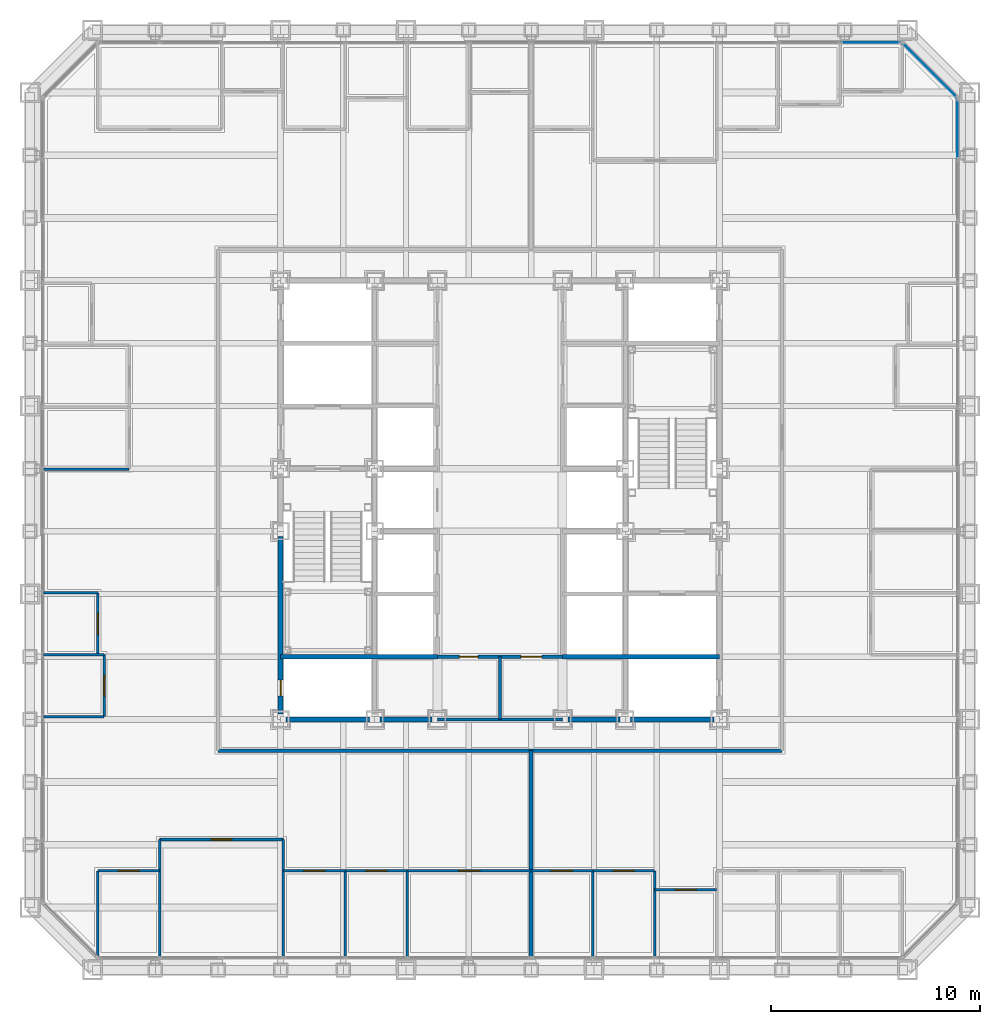
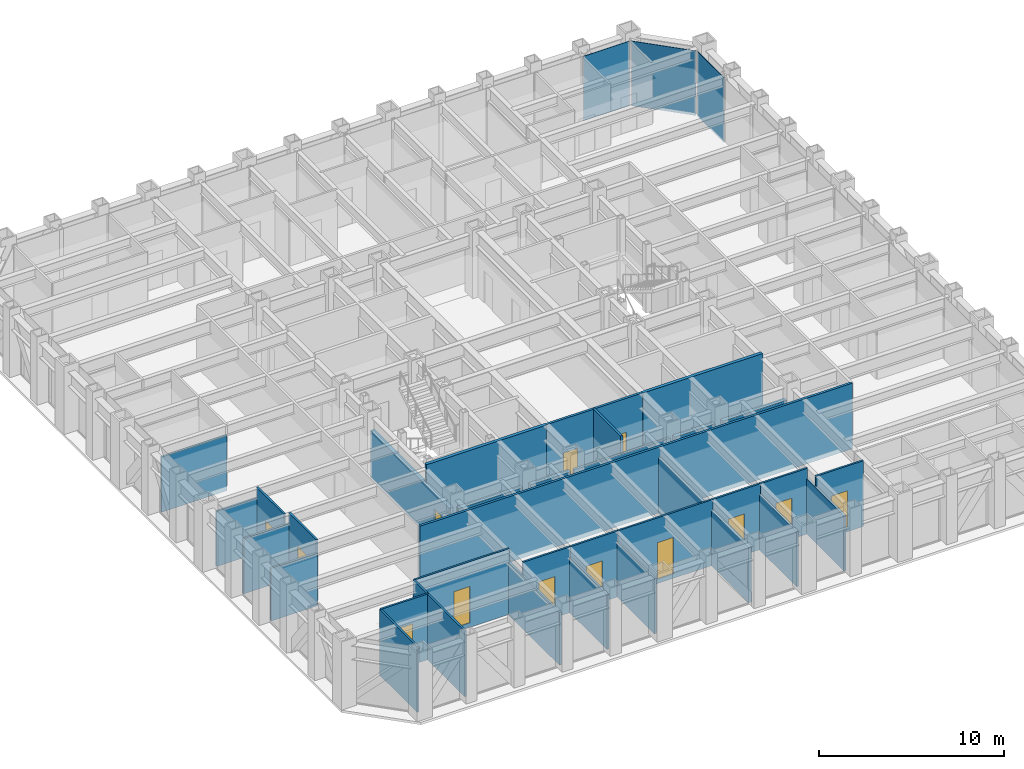
# One storey, part 8 of 16: 33 walls, 13 doors, 3 plates, 13 openings, 3 elements without a shape of their own.
"""IFC4 building model written with IfcOpenShell, lengths in metres."""

import ifcopenshell
import ifcopenshell.guid

model = None  # the IFC model being written
_history = None  # IfcOwnerHistory: only IFC2X3 demands one
_inside = {}  # id of a spatial element -> (the spatial element, [elements in it])
_under = {}  # id of a project, library or spatial element -> (it, [spatial elements below it])
_declared = {}  # id of a project -> (the project, [libraries it declares])
_typed = {}  # id of a type object -> (the type object, [elements of that type])
_made_of = {}  # id of a material, layer set ... -> (it, [elements and type objects made of it])


def new_model(schema):
    """Start an empty IFC model of exactly this schema.

    Asked for "IFC4X3", IfcOpenShell would pick the latest addendum, in which some entities
    have other attributes; the version numbers below select the first issue.
    IFC2X3 requires an IfcOwnerHistory on every rooted entity: one is made here for all.
    """
    global model, _history
    if schema == "IFC4X3":
        model = ifcopenshell.file(schema_version=(4, 3, 0, 0))
    else:
        model = ifcopenshell.file(schema=schema)
    _inside.clear()
    _under.clear()
    _declared.clear()
    _typed.clear()
    _made_of.clear()
    _history = None
    if model.schema == "IFC2X3":
        org = make("IfcOrganization", Name="unknown")
        user = make(
            "IfcPersonAndOrganization",
            ThePerson=make("IfcPerson", FamilyName="unknown"),
            TheOrganization=org,
        )
        app = make(
            "IfcApplication",
            ApplicationDeveloper=org,
            Version="unknown",
            ApplicationFullName="unknown",
            ApplicationIdentifier="unknown",
        )
        _history = make(
            "IfcOwnerHistory",
            OwningUser=user,
            OwningApplication=app,
            ChangeAction="ADDED",
            CreationDate=0,
        )
    return model


def make(cls, **values):
    """One entity of the class cls with the attributes given. An attribute that is None is left unset."""
    return model.create_entity(
        cls, **{name: value for name, value in values.items() if value is not None}
    )


def rooted(cls, **values):
    """An entity with a GlobalId (a new one), such as an element, a storey or a relation."""
    return make(cls, GlobalId=ifcopenshell.guid.new(), OwnerHistory=_history, **values)


def si_unit(unit_type, name, prefix=None):
    """IfcSIUnit, for example si_unit("LENGTHUNIT", "METRE", prefix="MILLI")."""
    return make("IfcSIUnit", UnitType=unit_type, Prefix=prefix, Name=name)


def assignment(units):
    """IfcUnitAssignment: the units of a project."""
    return None if units is None else make("IfcUnitAssignment", Units=units)


def point(xyz):
    """IfcCartesianPoint."""
    return None if xyz is None else make("IfcCartesianPoint", Coordinates=xyz)


def direction(xyz):
    """IfcDirection."""
    return None if xyz is None else make("IfcDirection", DirectionRatios=xyz)


def frame(location, z_axis=None, x_axis=None):
    """IfcAxis2Placement3D, a coordinate frame: its origin and axes. An axis left out is left unset."""
    return make(
        "IfcAxis2Placement3D",
        Location=point(location),
        Axis=direction(z_axis),
        RefDirection=direction(x_axis),
    )


def frame_2d(location, x_axis=None):
    """IfcAxis2Placement2D, a coordinate frame in the plane: its origin and x axis."""
    return make(
        "IfcAxis2Placement2D", Location=point(location), RefDirection=direction(x_axis)
    )


def origin():
    """The frame at (0, 0, 0) with its axes left unset."""
    return frame((0.0, 0.0, 0.0))


def origin_2d():
    """The frame at (0, 0) in the plane with its x axis left unset."""
    return frame_2d((0.0, 0.0))


def place(relative_to, where):
    """IfcLocalPlacement: puts the frame where relative to a parent placement (None: the world)."""
    return make(
        "IfcLocalPlacement", PlacementRelTo=relative_to, RelativePlacement=where
    )


def context(
    kind, dimensions, precision=None, world=None, true_north=None, identifier=None
):
    """IfcGeometricRepresentationContext, for example the 3D "Model" context."""
    return make(
        "IfcGeometricRepresentationContext",
        ContextIdentifier=identifier,
        ContextType=kind,
        CoordinateSpaceDimension=dimensions,
        Precision=precision,
        WorldCoordinateSystem=world,
        TrueNorth=true_north,
    )


def subcontext(parent, identifier, kind, view, scale=None):
    """IfcGeometricRepresentationSubContext, for example "Body" below "Model"."""
    return make(
        "IfcGeometricRepresentationSubContext",
        ContextIdentifier=identifier,
        ContextType=kind,
        ParentContext=parent,
        TargetScale=scale,
        TargetView=view,
    )


def project(units=None, contexts=None):
    """IfcProject with its units and contexts."""
    return rooted(
        "IfcProject",
        Name="project",
        RepresentationContexts=contexts,
        UnitsInContext=assignment(units),
    )


def spatial(cls, under=None, at=None, **own):
    """A site, building, storey or space (cls), placed at a placement, below another one or the project."""
    s = rooted(cls, ObjectPlacement=at, **own)
    if under is not None:
        _under.setdefault(under.id(), (under, []))[1].append(s)
    return s


def profile(cls, at=None, kind="AREA", **sizes):
    """A parametric profile (cls). Its sizes go by their IFC names, for example OverallWidth=200.0."""
    return make(cls, ProfileType=kind, Position=at, **sizes)


def rectangle(**sizes):
    """IfcRectangleProfileDef."""
    return profile("IfcRectangleProfileDef", **sizes)


def extrude(swept, where, along, depth):
    """IfcExtrudedAreaSolid: the profile swept, set in the frame where, extruded along a direction by depth."""
    return make(
        "IfcExtrudedAreaSolid",
        SweptArea=swept,
        Position=where,
        ExtrudedDirection=direction(along),
        Depth=depth,
    )


def shape(context_of_items, identifier, shape_type, items):
    """IfcShapeRepresentation: the items that make up one representation, for example the "Body"."""
    return make(
        "IfcShapeRepresentation",
        ContextOfItems=context_of_items,
        RepresentationIdentifier=identifier,
        RepresentationType=shape_type,
        Items=items,
    )


def material(Name=None, Category=None):
    """IfcMaterial."""
    return make("IfcMaterial", Name=Name, Category=Category)


def layer(
    of_material, thickness, ventilated=None, Name=None, Category=None, Priority=None
):
    """IfcMaterialLayer: one layer of a wall or slab, of a material (None: an air gap)."""
    return make(
        "IfcMaterialLayer",
        Material=of_material,
        LayerThickness=thickness,
        IsVentilated=ventilated,
        Name=Name,
        Category=Category,
        Priority=Priority,
    )


def layer_set(layers, Name=None):
    """IfcMaterialLayerSet."""
    return make("IfcMaterialLayerSet", MaterialLayers=layers, LayerSetName=Name)


def made_of(thing, what):
    """Note that an element or type object is made of a material, layer set ...; save() writes the relation."""
    if what is not None:
        _made_of.setdefault(what.id(), (what, []))[1].append(thing)
    return thing


def type_object(cls, material=None, **own):
    """A type object (cls), such as IfcWallType, which elements share."""
    return made_of(rooted(cls, **own), material)


def element(
    cls,
    number,
    at=None,
    inside=None,
    cuts=None,
    type_object=None,
    material=None,
    context=None,
    identifier="Body",
    shape_type=None,
    held_by="IfcProductDefinitionShape",
    body=None,
    shapes=None,
    **own,
):
    """One element of the class cls, such as IfcWall. Its Tag is "e" and its number.

    at: its placement. inside: the storey or other place that contains it. cuts: it is an
    opening in that element (IfcRelVoidsElement). A single representation is given by context,
    identifier, shape_type and body (its items); several are given by shapes. held_by: the class
    of the entity that holds the representations. save() writes the other relations.
    """
    e = rooted(cls, Tag="e%d" % number, ObjectPlacement=at, **own)
    if body is not None:
        shapes = [shape(context, identifier, shape_type, body)]
    if shapes is not None:
        e.Representation = make(held_by, Representations=shapes)
    if inside is not None:
        _inside.setdefault(inside.id(), (inside, []))[1].append(e)
    if cuts is not None:
        rooted(
            "IfcRelVoidsElement", RelatingBuildingElement=cuts, RelatedOpeningElement=e
        )
    if type_object is not None:
        _typed.setdefault(type_object.id(), (type_object, []))[1].append(e)
    return made_of(e, material)


def fill(opening, filler):
    """IfcRelFillsElement: the door or window that sits in an opening."""
    return rooted(
        "IfcRelFillsElement",
        RelatingOpeningElement=opening,
        RelatedBuildingElement=filler,
    )


def aggregate(whole, parts):
    """IfcRelAggregates: a whole, such as a stair, and the parts it consists of."""
    return rooted("IfcRelAggregates", RelatingObject=whole, RelatedObjects=parts)


def save(model, path):
    """Write the relations noted so far, then the file.

    IfcRelAggregates (storeys below a building ...), IfcRelContainedInSpatialStructure (elements
    in a storey), IfcRelDefinesByType, IfcRelAssociatesMaterial and IfcRelDeclares: one each for
    every whole, place, type object, material and project.
    """
    for whole, parts in _under.values():
        aggregate(whole, parts)
    for where, things in _inside.values():
        rooted(
            "IfcRelContainedInSpatialStructure",
            RelatedElements=things,
            RelatingStructure=where,
        )
    for kind, things in _typed.values():
        rooted("IfcRelDefinesByType", RelatedObjects=things, RelatingType=kind)
    for what, things in _made_of.values():
        rooted("IfcRelAssociatesMaterial", RelatedObjects=things, RelatingMaterial=what)
    for by, libraries in _declared.values():
        rooted("IfcRelDeclares", RelatingContext=by, RelatedDefinitions=libraries)
    model.write(path)


model = new_model("IFC4")

# Units and contexts
model_context = context("Model", 3, precision=1e-05, world=origin(), true_north=direction((0.0, 1.0)))
body_context = subcontext(model_context, "Body", "Model", "MODEL_VIEW")
ifc_project = project(units=[si_unit("LENGTHUNIT", "METRE"), si_unit("AREAUNIT", "SQUARE_METRE"), si_unit("VOLUMEUNIT", "CUBIC_METRE"), si_unit("PLANEANGLEUNIT", "RADIAN"), si_unit("MASSUNIT", "GRAM", prefix="KILO")], contexts=[model_context])

# Site, building, storey
site_placement = place(None, origin())
site = spatial("IfcSite", under=ifc_project, at=site_placement, CompositionType="ELEMENT")
building_placement = place(site_placement, origin())
building = spatial("IfcBuilding", under=site, at=building_placement, Name="Chuquiago Exchange Tower", CompositionType="ELEMENT")
storey_placement = place(building_placement, frame((0.0, 0.0, 55.800048828125)))
storey = spatial("IfcBuildingStorey", under=building, at=storey_placement, Name="L11", CompositionType="ELEMENT", Elevation=55.800048828125)

# Curtain wall, plate
ifc_material_1 = material(Name="Aluminium curtain wall system", Category="aluminium")
ifc_layer_1 = layer(ifc_material_1, 0.25)
ifc_layer_set_1 = layer_set([ifc_layer_1], Name="CW1 trading floor curtain wall")
curtain_wall_type_1 = type_object("IfcCurtainWallType", Name="CW1 trading floor curtain wall", PredefinedType="NOTDEFINED", material=ifc_layer_set_1)
curtain_wall_1_placement = place(storey_placement, origin())
curtain_wall_1 = element("IfcCurtainWall", 1, at=curtain_wall_1_placement, inside=storey, type_object=curtain_wall_type_1, Name="CW1 curtain wall L11", PredefinedType="NOTDEFINED")
ifc_material_2 = material(Name="Insulated spandrel panel, pale anodised aluminium", Category="aluminium")
ifc_layer_2 = layer(ifc_material_2, 0.031982421875)
ifc_layer_set_2 = layer_set([ifc_layer_2], Name="CW1-P spandrel panel 32")
plate_type_1 = type_object("IfcPlateType", Name="CW1-P spandrel panel 32", PredefinedType="CURTAIN_PANEL", material=ifc_layer_set_2)
plate_1_placement = place(storey_placement, frame((44.39990234375, 40.251953125, -0.22509765625), z_axis=(0.0, 0.0, 1.0), x_axis=(0.0, 1.0, 0.0)))
plate_1 = element("IfcPlate", 2, at=plate_1_placement, type_object=plate_type_1, Name="CW1 panel 13.1", PredefinedType="CURTAIN_PANEL", context=body_context, shape_type="SweptSolid", body=[
    extrude(rectangle(XDim=2.849365234375, YDim=0.031982421875, at=origin_2d()), origin(), (0.0, 0.0, 1.0), 4.264892578125),
])
aggregate(curtain_wall_1, [plate_1])

curtain_wall_2_placement = place(storey_placement, origin())
curtain_wall_2 = element("IfcCurtainWall", 3, at=curtain_wall_2_placement, inside=storey, type_object=curtain_wall_type_1, Name="CW1 curtain wall L11", PredefinedType="NOTDEFINED")
plate_2_placement = place(storey_placement, frame((40.251953125, 44.39990234375, -0.22509765625), z_axis=(0.0, 0.0, 1.0), x_axis=(-1.0, 0.0, 0.0)))
plate_2 = element("IfcPlate", 4, at=plate_2_placement, type_object=plate_type_1, Name="CW1 panel 1.1", PredefinedType="CURTAIN_PANEL", context=body_context, shape_type="SweptSolid", body=[
    extrude(rectangle(XDim=2.849365234375, YDim=0.031982421875, at=origin_2d()), origin(), (0.0, 0.0, 1.0), 4.264892578125),
])
aggregate(curtain_wall_2, [plate_2])

ifc_material_3 = material(Name="Aluminium curtain wall system", Category="aluminium")
ifc_layer_3 = layer(ifc_material_3, 0.199951171875)
ifc_layer_set_3 = layer_set([ifc_layer_3], Name="CW3 facet curtain wall")
curtain_wall_type_2 = type_object("IfcCurtainWallType", Name="CW3 facet curtain wall", PredefinedType="NOTDEFINED", material=ifc_layer_set_3)
curtain_wall_3_placement = place(storey_placement, origin())
curtain_wall_3 = element("IfcCurtainWall", 5, at=curtain_wall_3_placement, inside=storey, type_object=curtain_wall_type_2, Name="CW3 curtain wall L11", PredefinedType="NOTDEFINED")
ifc_material_4 = material(Name="Insulated spandrel panel, pale anodised aluminium", Category="aluminium")
ifc_layer_4 = layer(ifc_material_4, 0.030029296875)
ifc_layer_set_4 = layer_set([ifc_layer_4], Name="CW3-P spandrel panel 30")
plate_type_2 = type_object("IfcPlateType", Name="CW3-P spandrel panel 30", PredefinedType="CURTAIN_PANEL", material=ifc_layer_set_4)
plate_3_placement = place(storey_placement, frame((43.07568359375, 43.07568359375, -0.235107421875), z_axis=(0.0, 0.0, 1.0), x_axis=(-0.707106781187, 0.707106781187, 0.0)))
plate_3 = element("IfcPlate", 6, at=plate_3_placement, type_object=plate_type_2, Name="CW3 panel 1.1", PredefinedType="CURTAIN_PANEL", context=body_context, shape_type="SweptSolid", body=[
    extrude(rectangle(XDim=3.615478515625, YDim=0.030029296875, at=origin_2d()), origin(), (0.0, 0.0, 1.0), 4.27490234375),
])
aggregate(curtain_wall_3, [plate_3])

# Wall, opening, door
ifc_material_5 = material(Name="Concrete masonry, fully grouted", Category="masonry")
ifc_layer_5 = layer(ifc_material_5, 0.25)
ifc_layer_set_5 = layer_set([ifc_layer_5], Name="W1 core wall 250")
wall_type_1 = type_object("IfcWallType", Name="W1 core wall 250", PredefinedType="SOLIDWALL", material=ifc_layer_set_5)
wall_1_placement = place(storey_placement, frame((12.0, 12.25, 0.0), z_axis=(0.0, 0.0, 1.0), x_axis=(0.0, 1.0, 0.0)))
wall_1 = element("IfcWall", 7, at=wall_1_placement, inside=storey, type_object=wall_type_1, Name="CW-L11-00-0", PredefinedType="SOLIDWALL", context=body_context, shape_type="SweptSolid", body=[
    extrude(rectangle(XDim=8.5, YDim=0.25, at=frame_2d((4.25, 0.0))), origin(), (0.0, 0.0, 1.0), 3.11279296875),
])
opening_1_placement = place(wall_1_placement, frame((0.875, 0.0, 0.0)))
opening_1 = element("IfcOpeningElement", 8, at=opening_1_placement, cuts=wall_1, Name="Opening L11-007", PredefinedType="OPENING", context=body_context, shape_type="SweptSolid", body=[
    extrude(rectangle(XDim=0.75, YDim=2.10009765625, at=frame_2d((0.375, 1.050048828125))), frame((0.0, 0.135009765625, 0.0), z_axis=(0.0, -1.0, 0.0), x_axis=(1.0, 0.0, 0.0)), (0.0, 0.0, 1.0), 0.27001953125),
])
ifc_material_6 = material(Name="Steel door, painted", Category="steel")
door_type_1 = type_object("IfcDoorType", Name="D6 riser access door 750x2100", OperationType="SINGLE_SWING_LEFT", PredefinedType="DOOR", material=ifc_material_6)
door_1_placement = place(opening_1_placement, origin())
door_1 = element("IfcDoor", 9, at=door_1_placement, inside=storey, type_object=door_type_1, Name="Riser RW1 door", OperationType="SINGLE_SWING_LEFT", OverallHeight=2.10009765625, OverallWidth=0.75, PredefinedType="DOOR", context=body_context, shape_type="SweptSolid", body=[
    extrude(rectangle(XDim=0.75, YDim=2.10009765625, at=frame_2d((0.375, 1.050048828125))), frame((0.0, 0.02490234375, 0.0), z_axis=(0.0, -1.0, 0.0), x_axis=(1.0, 0.0, 0.0)), (0.0, 0.0, 1.0), 0.050048828125),
])
fill(opening_1, door_1)

# Walls
wall_2_placement = place(storey_placement, frame((12.25, 12.0, 0.0), z_axis=(0.0, 0.0, 1.0), x_axis=(1.0, 0.0, 0.0)))
element("IfcWall", 10, at=wall_2_placement, inside=storey, type_object=wall_type_1, Name="CW-L11-01-0", PredefinedType="SOLIDWALL", context=body_context, shape_type="SweptSolid", body=[
    extrude(rectangle(XDim=4.0, YDim=0.25, at=frame_2d((2.0, 0.0))), origin(), (0.0, 0.0, 1.0), 3.181396484375),
])
for number, where, z_axis, x_axis, name in (
    (11, (16.75, 12.0, 0.0), (0.0, 0.0, 1.0), (1.0, 0.0, 0.0), "CW-L11-01-1"),
    (12, (25.75, 12.0, 0.0), (0.0, 0.0, 1.0), (1.0, 0.0, 0.0), "CW-L11-02-0"),
):
    element("IfcWall", number, at=place(storey_placement, frame(where, z_axis=z_axis, x_axis=x_axis)), inside=storey, type_object=wall_type_1, Name=name, PredefinedType="SOLIDWALL", context=body_context, shape_type="SweptSolid", body=[
        extrude(rectangle(XDim=2.5, YDim=0.25, at=frame_2d((1.25, 0.0))), origin(), (0.0, 0.0, 1.0), 3.181396484375),
    ])
wall_3_placement = place(storey_placement, frame((28.75, 12.0, 0.0), z_axis=(0.0, 0.0, 1.0), x_axis=(1.0, 0.0, 0.0)))
element("IfcWall", 13, at=wall_3_placement, inside=storey, type_object=wall_type_1, Name="CW-L11-02-1", PredefinedType="SOLIDWALL", context=body_context, shape_type="SweptSolid", body=[
    extrude(rectangle(XDim=4.0, YDim=0.25, at=frame_2d((2.0, 0.0))), origin(), (0.0, 0.0, 1.0), 3.181396484375),
])
ifc_material_7 = material(Name="Gypsum board on steel studs, acoustic insulation", Category="steel")
ifc_layer_6 = layer(ifc_material_7, 0.14990234375)
ifc_layer_set_6 = layer_set([ifc_layer_6], Name="W11 corridor wall 150")
wall_type_2 = type_object("IfcWallType", Name="W11 corridor wall 150", PredefinedType="PARTITIONING", material=ifc_layer_set_6)
wall_4_placement = place(storey_placement, frame((9.0, 10.5, -0.300048828125), z_axis=(0.0, 0.0, 1.0), x_axis=(1.0, 0.0, 0.0)))
element("IfcWall", 14, at=wall_4_placement, inside=storey, type_object=wall_type_2, Name="PW-L11-CS", PredefinedType="PARTITIONING", context=body_context, shape_type="SweptSolid", body=[
    extrude(rectangle(XDim=27.0, YDim=0.14990234375, at=frame_2d((13.5, 0.0))), origin(), (0.0, 0.0, 1.0), 4.340087890625),
])
ifc_material_8 = material(Name="Gypsum board on twin steel studs, acoustic insulation", Category="steel")
ifc_layer_7 = layer(ifc_material_8, 0.175048828125)
ifc_layer_set_7 = layer_set([ifc_layer_7], Name="W12 tenant demising wall 175")
wall_type_3 = type_object("IfcWallType", Name="W12 tenant demising wall 175", PredefinedType="PARTITIONING", material=ifc_layer_set_7)
wall_5_placement = place(storey_placement, frame((23.98095703125, 0.657470703125, -0.300048828125), z_axis=(0.0, 0.0, 1.0), x_axis=(0.0, 1.0, 0.0)))
element("IfcWall", 15, at=wall_5_placement, inside=storey, type_object=wall_type_3, Name="PW-L11-DS02398", PredefinedType="PARTITIONING", context=body_context, shape_type="SweptSolid", body=[
    extrude(rectangle(XDim=9.842529296875, YDim=0.175048828125, at=frame_2d((4.92138671875, 0.0))), origin(), (0.0, 0.0, 1.0), 3.646484375),
])
ifc_material_9 = material(Name="Concrete masonry, fully grouted", Category="masonry")
ifc_layer_8 = layer(ifc_material_9, 0.199951171875)
ifc_layer_set_8 = layer_set([ifc_layer_8], Name="W2 shaft wall 200")
wall_type_4 = type_object("IfcWallType", Name="W2 shaft wall 200", PredefinedType="SOLIDWALL", material=ifc_layer_set_8)
for number, where, z_axis, x_axis, name in (
    (16, (12.0, 15.0, 0.0), (0.0, 0.0, 1.0), (1.0, 0.0, 0.0), "CW-L11-03-0"),
    (17, (25.5, 15.0, 0.0), (0.0, 0.0, 1.0), (1.0, 0.0, 0.0), "CW-L11-04-0"),
):
    element("IfcWall", number, at=place(storey_placement, frame(where, z_axis=z_axis, x_axis=x_axis)), inside=storey, type_object=wall_type_4, Name=name, PredefinedType="SOLIDWALL", context=body_context, shape_type="SweptSolid", body=[
        extrude(rectangle(XDim=7.5, YDim=0.199951171875, at=frame_2d((3.75, 0.0))), origin(), (0.0, 0.0, 1.0), 4.33984375),
    ])

# Wall, openings, doors
ifc_material_10 = material(Name="Gypsum board on steel studs", Category="steel")
ifc_layer_9 = layer(ifc_material_10, 0.14990234375)
ifc_layer_set_9 = layer_set([ifc_layer_9], Name="W3 core partition 150")
wall_type_5 = type_object("IfcWallType", Name="W3 core partition 150", PredefinedType="PARTITIONING", material=ifc_layer_set_9)
wall_6_placement = place(storey_placement, frame((19.5, 15.0, 0.0), z_axis=(0.0, 0.0, 1.0), x_axis=(1.0, 0.0, 0.0)))
wall_6 = element("IfcWall", 18, at=wall_6_placement, inside=storey, type_object=wall_type_5, Name="CW-L11-TF", PredefinedType="PARTITIONING", context=body_context, shape_type="SweptSolid", body=[
    extrude(rectangle(XDim=6.0, YDim=0.14990234375, at=frame_2d((3.0, 0.0))), origin(), (0.0, 0.0, 1.0), 4.33984375),
])
opening_2_placement = place(wall_6_placement, frame((4.0, 0.0, 0.0)))
opening_2 = element("IfcOpeningElement", 19, at=opening_2_placement, cuts=wall_6, Name="Opening L11-015", PredefinedType="OPENING", context=body_context, shape_type="SweptSolid", body=[
    extrude(rectangle(XDim=1.0, YDim=2.10009765625, at=frame_2d((0.5, 1.050048828125))), frame((0.0, 0.0849609375, 0.0), z_axis=(0.0, -1.0, 0.0), x_axis=(1.0, 0.0, 0.0)), (0.0, 0.0, 1.0), 0.169921875),
])
opening_3_placement = place(wall_6_placement, frame((1.050048828125, 0.0, 0.0)))
opening_3 = element("IfcOpeningElement", 20, at=opening_3_placement, cuts=wall_6, Name="Opening L11-016", PredefinedType="OPENING", context=body_context, shape_type="SweptSolid", body=[
    extrude(rectangle(XDim=0.89990234375, YDim=2.10009765625, at=frame_2d((0.449951171875, 1.050048828125))), frame((0.0, 0.0849609375, 0.0), z_axis=(0.0, -1.0, 0.0), x_axis=(1.0, 0.0, 0.0)), (0.0, 0.0, 1.0), 0.169921875),
])
ifc_material_11 = material(Name="Timber door, laminate faced", Category="wood")
door_type_2 = type_object("IfcDoorType", Name="D7 toilet door 900x2100", OperationType="SINGLE_SWING_LEFT", PredefinedType="DOOR", material=ifc_material_11)
door_2_placement = place(opening_3_placement, origin())
door_2 = element("IfcDoor", 21, at=door_2_placement, inside=storey, type_object=door_type_2, Name="Cleaner door", OperationType="SINGLE_SWING_LEFT", OverallHeight=2.10009765625, OverallWidth=0.89990234375, PredefinedType="DOOR", context=body_context, shape_type="SweptSolid", body=[
    extrude(rectangle(XDim=0.89990234375, YDim=2.10009765625, at=frame_2d((0.449951171875, 1.050048828125))), frame((0.0, 0.02490234375, 0.0), z_axis=(0.0, -1.0, 0.0), x_axis=(1.0, 0.0, 0.0)), (0.0, 0.0, 1.0), 0.050048828125),
])
fill(opening_3, door_2)
ifc_material_12 = material(Name="Timber door, laminate faced", Category="wood")
door_type_3 = type_object("IfcDoorType", Name="D8 accessible toilet door 1000x2100", OperationType="SLIDING_TO_LEFT", PredefinedType="DOOR", material=ifc_material_12)
door_3_placement = place(opening_2_placement, origin())
door_3 = element("IfcDoor", 22, at=door_3_placement, inside=storey, type_object=door_type_3, Name="Accessible WC door", OperationType="SLIDING_TO_LEFT", OverallHeight=2.10009765625, OverallWidth=1.0, PredefinedType="DOOR", context=body_context, shape_type="SweptSolid", body=[
    extrude(rectangle(XDim=1.0, YDim=2.10009765625, at=frame_2d((0.5, 1.050048828125))), frame((0.0, 0.02490234375, 0.0), z_axis=(0.0, -1.0, 0.0), x_axis=(1.0, 0.0, 0.0)), (0.0, 0.0, 1.0), 0.050048828125),
])
fill(opening_2, door_3)

# Walls
wall_7_placement = place(storey_placement, frame((22.5, 15.0, 0.0), z_axis=(0.0, 0.0, 1.0), x_axis=(0.0, -1.0, 0.0)))
element("IfcWall", 23, at=wall_7_placement, inside=storey, type_object=wall_type_5, Name="CW-L11-TM", PredefinedType="PARTITIONING", context=body_context, shape_type="SweptSolid", body=[
    extrude(rectangle(XDim=3.0, YDim=0.14990234375, at=frame_2d((1.5, 0.0))), origin(), (0.0, 0.0, 1.0), 4.33984375),
])
wall_8_placement = place(storey_placement, frame((19.5, 12.0, 0.0), z_axis=(0.0, 0.0, 1.0), x_axis=(1.0, 0.0, 0.0)))
element("IfcWall", 24, at=wall_8_placement, inside=storey, type_object=wall_type_5, Name="CW-L11-TB", PredefinedType="PARTITIONING", context=body_context, shape_type="SweptSolid", body=[
    extrude(rectangle(XDim=6.0, YDim=0.14990234375, at=frame_2d((3.0, 0.0))), origin(), (0.0, 0.0, 1.0), 3.181396484375),
])
ifc_material_13 = material(Name="Gypsum board on steel studs", Category="steel")
ifc_layer_10 = layer(ifc_material_13, 0.1201171875)
ifc_layer_set_10 = layer_set([ifc_layer_10], Name="W4 partition 120")
wall_type_6 = type_object("IfcWallType", Name="W4 partition 120", PredefinedType="PARTITIONING", material=ifc_layer_set_10)
wall_9_placement = place(storey_placement, frame((3.24853515625, 0.666015625, -0.300048828125), z_axis=(0.0, 0.0, 1.0), x_axis=(0.0, 1.0, 0.0)))
element("IfcWall", 25, at=wall_9_placement, inside=storey, type_object=wall_type_6, Name="PW-L11-S00325", PredefinedType="PARTITIONING", context=body_context, shape_type="SweptSolid", body=[
    extrude(rectangle(XDim=4.083984375, YDim=0.1201171875, at=frame_2d((2.0419921875, 0.0))), origin(), (0.0, 0.0, 1.0), 4.340087890625),
])
wall_10_placement = place(storey_placement, frame((6.210205078125, 0.657470703125, -0.300048828125), z_axis=(0.0, 0.0, 1.0), x_axis=(0.0, 1.0, 0.0)))
element("IfcWall", 26, at=wall_10_placement, inside=storey, type_object=wall_type_6, Name="PW-L11-S00621", PredefinedType="PARTITIONING", context=body_context, shape_type="SweptSolid", body=[
    extrude(rectangle(XDim=5.592529296875, YDim=0.1201171875, at=frame_2d((2.79638671875, 0.0))), origin(), (0.0, 0.0, 1.0), 4.340087890625),
])
wall_11_placement = place(storey_placement, frame((12.1337890625, 0.657470703125, -0.300048828125), z_axis=(0.0, 0.0, 1.0), x_axis=(0.0, 1.0, 0.0)))
element("IfcWall", 27, at=wall_11_placement, inside=storey, type_object=wall_type_6, Name="PW-L11-S01213", PredefinedType="PARTITIONING", context=body_context, shape_type="SweptSolid", body=[
    extrude(rectangle(XDim=5.592529296875, YDim=0.1201171875, at=frame_2d((2.79638671875, 0.0))), origin(), (0.0, 0.0, 1.0), 3.4814453125),
])
for number, where, z_axis, x_axis, name in (
    (28, (15.095703125, 0.657470703125, -0.300048828125), (0.0, 0.0, 1.0), (0.0, 1.0, 0.0), "PW-L11-S01510"),
    (29, (18.057373046875, 0.657470703125, -0.300048828125), (0.0, 0.0, 1.0), (0.0, 1.0, 0.0), "PW-L11-S01806"),
    (30, (26.942626953125, 0.657470703125, -0.300048828125), (0.0, 0.0, 1.0), (0.0, 1.0, 0.0), "PW-L11-S02694"),
    (31, (29.904296875, 0.657470703125, -0.300048828125), (0.0, 0.0, 1.0), (0.0, 1.0, 0.0), "PW-L11-S02990"),
):
    element("IfcWall", number, at=place(storey_placement, frame(where, z_axis=z_axis, x_axis=x_axis)), inside=storey, type_object=wall_type_6, Name=name, PredefinedType="PARTITIONING", context=body_context, shape_type="SweptSolid", body=[
        extrude(rectangle(XDim=4.092529296875, YDim=0.1201171875, at=frame_2d((2.04638671875, 0.0))), origin(), (0.0, 0.0, 1.0), 3.646484375),
    ])

# Wall, opening, door
wall_12_placement = place(storey_placement, frame((3.24853515625, 4.75, -0.300048828125), z_axis=(0.0, 0.0, 1.0), x_axis=(1.0, 0.0, 0.0)))
wall_12 = element("IfcWall", 32, at=wall_12_placement, inside=storey, type_object=wall_type_6, Name="PW-L11-SF00325", PredefinedType="PARTITIONING", context=body_context, shape_type="SweptSolid", body=[
    extrude(rectangle(XDim=2.961669921875, YDim=0.1201171875, at=frame_2d((1.48095703125, 0.0))), origin(), (0.0, 0.0, 1.0), 4.340087890625),
])
opening_4_placement = place(wall_12_placement, frame((0.98095703125, 0.0, 0.300048828125)))
opening_4 = element("IfcOpeningElement", 33, at=opening_4_placement, cuts=wall_12, Name="Opening L11-021", PredefinedType="OPENING", context=body_context, shape_type="SweptSolid", body=[
    extrude(rectangle(XDim=1.0, YDim=2.39990234375, at=frame_2d((0.5, 1.199951171875))), frame((0.0, 0.070068359375, 0.0), z_axis=(0.0, -1.0, 0.0), x_axis=(1.0, 0.0, 0.0)), (0.0, 0.0, 1.0), 0.14013671875),
])
ifc_material_14 = material(Name="Timber door, laminate faced", Category="wood")
door_type_4 = type_object("IfcDoorType", Name="D9 room door 1000x2400", OperationType="SINGLE_SWING_LEFT", PredefinedType="DOOR", material=ifc_material_14)
door_4_placement = place(opening_4_placement, frame((1.0, 0.0, 0.0), z_axis=(0.0, 0.0, 1.0), x_axis=(-1.0, 0.0, 0.0)))
door_4 = element("IfcDoor", 34, at=door_4_placement, inside=storey, type_object=door_type_4, Name="Trading support room door", OperationType="SINGLE_SWING_RIGHT", OverallHeight=2.39990234375, OverallWidth=1.0, PredefinedType="DOOR", context=body_context, shape_type="SweptSolid", body=[
    extrude(rectangle(XDim=1.0, YDim=2.39990234375, at=frame_2d((0.5, 1.199951171875))), frame((0.0, 0.02490234375, 0.0), z_axis=(0.0, -1.0, 0.0), x_axis=(1.0, 0.0, 0.0)), (0.0, 0.0, 1.0), 0.050048828125),
])
fill(opening_4, door_4)

wall_13_placement = place(storey_placement, frame((6.210205078125, 6.25, -0.300048828125), z_axis=(0.0, 0.0, 1.0), x_axis=(1.0, 0.0, 0.0)))
wall_13 = element("IfcWall", 35, at=wall_13_placement, inside=storey, type_object=wall_type_6, Name="PW-L11-SF00621", PredefinedType="PARTITIONING", context=body_context, shape_type="SweptSolid", body=[
    extrude(rectangle(XDim=5.923583984375, YDim=0.1201171875, at=frame_2d((2.9619140625, 0.0))), origin(), (0.0, 0.0, 1.0), 4.340087890625),
])
opening_5_placement = place(wall_13_placement, frame((2.4619140625, 0.0, 0.300048828125)))
opening_5 = element("IfcOpeningElement", 36, at=opening_5_placement, cuts=wall_13, Name="Opening L11-022", PredefinedType="OPENING", context=body_context, shape_type="SweptSolid", body=[
    extrude(rectangle(XDim=1.0, YDim=2.39990234375, at=frame_2d((0.5, 1.199951171875))), frame((0.0, 0.070068359375, 0.0), z_axis=(0.0, -1.0, 0.0), x_axis=(1.0, 0.0, 0.0)), (0.0, 0.0, 1.0), 0.14013671875),
])
door_5_placement = place(opening_5_placement, frame((1.0, 0.0, 0.0), z_axis=(0.0, 0.0, 1.0), x_axis=(-1.0, 0.0, 0.0)))
door_5 = element("IfcDoor", 37, at=door_5_placement, inside=storey, type_object=door_type_4, Name="Market data room door", OperationType="SINGLE_SWING_LEFT", OverallHeight=2.39990234375, OverallWidth=1.0, PredefinedType="DOOR", context=body_context, shape_type="SweptSolid", body=[
    extrude(rectangle(XDim=1.0, YDim=2.39990234375, at=frame_2d((0.5, 1.199951171875))), frame((0.0, 0.02490234375, 0.0), z_axis=(0.0, -1.0, 0.0), x_axis=(1.0, 0.0, 0.0)), (0.0, 0.0, 1.0), 0.050048828125),
])
fill(opening_5, door_5)

wall_14_placement = place(storey_placement, frame((12.1337890625, 4.75, -0.300048828125), z_axis=(0.0, 0.0, 1.0), x_axis=(1.0, 0.0, 0.0)))
wall_14 = element("IfcWall", 38, at=wall_14_placement, inside=storey, type_object=wall_type_6, Name="PW-L11-SF01213", PredefinedType="PARTITIONING", context=body_context, shape_type="SweptSolid", body=[
    extrude(rectangle(XDim=2.9619140625, YDim=0.1201171875, at=frame_2d((1.48095703125, 0.0))), origin(), (0.0, 0.0, 1.0), 4.340087890625),
])
opening_6_placement = place(wall_14_placement, frame((0.98095703125, 0.0, 0.300048828125)))
opening_6 = element("IfcOpeningElement", 39, at=opening_6_placement, cuts=wall_14, Name="Opening L11-023", PredefinedType="OPENING", context=body_context, shape_type="SweptSolid", body=[
    extrude(rectangle(XDim=1.0, YDim=2.39990234375, at=frame_2d((0.5, 1.199951171875))), frame((0.0, 0.070068359375, 0.0), z_axis=(0.0, -1.0, 0.0), x_axis=(1.0, 0.0, 0.0)), (0.0, 0.0, 1.0), 0.14013671875),
])
door_6_placement = place(opening_6_placement, frame((1.0, 0.0, 0.0), z_axis=(0.0, 0.0, 1.0), x_axis=(-1.0, 0.0, 0.0)))
door_6 = element("IfcDoor", 40, at=door_6_placement, inside=storey, type_object=door_type_4, Name="Office door", OperationType="SINGLE_SWING_LEFT", OverallHeight=2.39990234375, OverallWidth=1.0, PredefinedType="DOOR", context=body_context, shape_type="SweptSolid", body=[
    extrude(rectangle(XDim=1.0, YDim=2.39990234375, at=frame_2d((0.5, 1.199951171875))), frame((0.0, 0.02490234375, 0.0), z_axis=(0.0, -1.0, 0.0), x_axis=(1.0, 0.0, 0.0)), (0.0, 0.0, 1.0), 0.050048828125),
])
fill(opening_6, door_6)

wall_15_placement = place(storey_placement, frame((15.095703125, 4.75, -0.300048828125), z_axis=(0.0, 0.0, 1.0), x_axis=(1.0, 0.0, 0.0)))
wall_15 = element("IfcWall", 41, at=wall_15_placement, inside=storey, type_object=wall_type_6, Name="PW-L11-SF01510", PredefinedType="PARTITIONING", context=body_context, shape_type="SweptSolid", body=[
    extrude(rectangle(XDim=2.961669921875, YDim=0.1201171875, at=frame_2d((1.48095703125, 0.0))), origin(), (0.0, 0.0, 1.0), 4.340087890625),
])
opening_7_placement = place(wall_15_placement, frame((0.98095703125, 0.0, 0.300048828125)))
opening_7 = element("IfcOpeningElement", 42, at=opening_7_placement, cuts=wall_15, Name="Opening L11-024", PredefinedType="OPENING", context=body_context, shape_type="SweptSolid", body=[
    extrude(rectangle(XDim=1.0, YDim=2.39990234375, at=frame_2d((0.5, 1.199951171875))), frame((0.0, 0.070068359375, 0.0), z_axis=(0.0, -1.0, 0.0), x_axis=(1.0, 0.0, 0.0)), (0.0, 0.0, 1.0), 0.14013671875),
])
door_7_placement = place(opening_7_placement, frame((1.0, 0.0, 0.0), z_axis=(0.0, 0.0, 1.0), x_axis=(-1.0, 0.0, 0.0)))
door_7 = element("IfcDoor", 43, at=door_7_placement, inside=storey, type_object=door_type_4, Name="Office door", OperationType="SINGLE_SWING_RIGHT", OverallHeight=2.39990234375, OverallWidth=1.0, PredefinedType="DOOR", context=body_context, shape_type="SweptSolid", body=[
    extrude(rectangle(XDim=1.0, YDim=2.39990234375, at=frame_2d((0.5, 1.199951171875))), frame((0.0, 0.02490234375, 0.0), z_axis=(0.0, -1.0, 0.0), x_axis=(1.0, 0.0, 0.0)), (0.0, 0.0, 1.0), 0.050048828125),
])
fill(opening_7, door_7)

wall_16_placement = place(storey_placement, frame((18.057373046875, 4.75, -0.300048828125), z_axis=(0.0, 0.0, 1.0), x_axis=(1.0, 0.0, 0.0)))
wall_16 = element("IfcWall", 44, at=wall_16_placement, inside=storey, type_object=wall_type_6, Name="PW-L11-SF01806", PredefinedType="PARTITIONING", context=body_context, shape_type="SweptSolid", body=[
    extrude(rectangle(XDim=5.923583984375, YDim=0.1201171875, at=frame_2d((2.9619140625, 0.0))), origin(), (0.0, 0.0, 1.0), 4.340087890625),
])
opening_8_placement = place(wall_16_placement, frame((2.461669921875, 0.0, 0.300048828125)))
opening_8 = element("IfcOpeningElement", 45, at=opening_8_placement, cuts=wall_16, Name="Opening L11-025", PredefinedType="OPENING", context=body_context, shape_type="SweptSolid", body=[
    extrude(rectangle(XDim=1.0, YDim=2.39990234375, at=frame_2d((0.5, 1.199951171875))), frame((0.0, 0.070068359375, 0.0), z_axis=(0.0, -1.0, 0.0), x_axis=(1.0, 0.0, 0.0)), (0.0, 0.0, 1.0), 0.14013671875),
])
ifc_material_15 = material(Name="Timber frame door, full height glazed panel", Category="wood")
door_type_5 = type_object("IfcDoorType", Name="D14 glazed meeting room door 1000x2400", OperationType="SINGLE_SWING_LEFT", PredefinedType="DOOR", material=ifc_material_15)
door_8_placement = place(opening_8_placement, frame((1.0, 0.0, 0.0), z_axis=(0.0, 0.0, 1.0), x_axis=(-1.0, 0.0, 0.0)))
door_8 = element("IfcDoor", 46, at=door_8_placement, inside=storey, type_object=door_type_5, Name="Meeting room door", OperationType="SINGLE_SWING_LEFT", OverallHeight=2.39990234375, OverallWidth=1.0, PredefinedType="DOOR", context=body_context, shape_type="SweptSolid", body=[
    extrude(rectangle(XDim=1.0, YDim=2.39990234375, at=frame_2d((0.5, 1.199951171875))), frame((0.0, 0.02490234375, 0.0), z_axis=(0.0, -1.0, 0.0), x_axis=(1.0, 0.0, 0.0)), (0.0, 0.0, 1.0), 0.050048828125),
])
fill(opening_8, door_8)

wall_17_placement = place(storey_placement, frame((23.98095703125, 4.75, -0.300048828125), z_axis=(0.0, 0.0, 1.0), x_axis=(1.0, 0.0, 0.0)))
wall_17 = element("IfcWall", 47, at=wall_17_placement, inside=storey, type_object=wall_type_6, Name="PW-L11-SF02398", PredefinedType="PARTITIONING", context=body_context, shape_type="SweptSolid", body=[
    extrude(rectangle(XDim=2.961669921875, YDim=0.1201171875, at=frame_2d((1.48095703125, 0.0))), origin(), (0.0, 0.0, 1.0), 4.340087890625),
])
opening_9_placement = place(wall_17_placement, frame((0.98095703125, 0.0, 0.300048828125)))
opening_9 = element("IfcOpeningElement", 48, at=opening_9_placement, cuts=wall_17, Name="Opening L11-026", PredefinedType="OPENING", context=body_context, shape_type="SweptSolid", body=[
    extrude(rectangle(XDim=1.0, YDim=2.39990234375, at=frame_2d((0.5, 1.199951171875))), frame((0.0, 0.070068359375, 0.0), z_axis=(0.0, -1.0, 0.0), x_axis=(1.0, 0.0, 0.0)), (0.0, 0.0, 1.0), 0.14013671875),
])
door_9_placement = place(opening_9_placement, frame((1.0, 0.0, 0.0), z_axis=(0.0, 0.0, 1.0), x_axis=(-1.0, 0.0, 0.0)))
door_9 = element("IfcDoor", 49, at=door_9_placement, inside=storey, type_object=door_type_4, Name="Office door", OperationType="SINGLE_SWING_RIGHT", OverallHeight=2.39990234375, OverallWidth=1.0, PredefinedType="DOOR", context=body_context, shape_type="SweptSolid", body=[
    extrude(rectangle(XDim=1.0, YDim=2.39990234375, at=frame_2d((0.5, 1.199951171875))), frame((0.0, 0.02490234375, 0.0), z_axis=(0.0, -1.0, 0.0), x_axis=(1.0, 0.0, 0.0)), (0.0, 0.0, 1.0), 0.050048828125),
])
fill(opening_9, door_9)

wall_18_placement = place(storey_placement, frame((26.942626953125, 4.75, -0.300048828125), z_axis=(0.0, 0.0, 1.0), x_axis=(1.0, 0.0, 0.0)))
wall_18 = element("IfcWall", 50, at=wall_18_placement, inside=storey, type_object=wall_type_6, Name="PW-L11-SF02694", PredefinedType="PARTITIONING", context=body_context, shape_type="SweptSolid", body=[
    extrude(rectangle(XDim=2.961669921875, YDim=0.1201171875, at=frame_2d((1.48095703125, 0.0))), origin(), (0.0, 0.0, 1.0), 4.340087890625),
])
opening_10_placement = place(wall_18_placement, frame((0.98095703125, 0.0, 0.300048828125)))
opening_10 = element("IfcOpeningElement", 51, at=opening_10_placement, cuts=wall_18, Name="Opening L11-027", PredefinedType="OPENING", context=body_context, shape_type="SweptSolid", body=[
    extrude(rectangle(XDim=1.0, YDim=2.39990234375, at=frame_2d((0.5, 1.199951171875))), frame((0.0, 0.070068359375, 0.0), z_axis=(0.0, -1.0, 0.0), x_axis=(1.0, 0.0, 0.0)), (0.0, 0.0, 1.0), 0.14013671875),
])
door_10_placement = place(opening_10_placement, frame((1.0, 0.0, 0.0), z_axis=(0.0, 0.0, 1.0), x_axis=(-1.0, 0.0, 0.0)))
door_10 = element("IfcDoor", 52, at=door_10_placement, inside=storey, type_object=door_type_4, Name="Office door", OperationType="SINGLE_SWING_RIGHT", OverallHeight=2.39990234375, OverallWidth=1.0, PredefinedType="DOOR", context=body_context, shape_type="SweptSolid", body=[
    extrude(rectangle(XDim=1.0, YDim=2.39990234375, at=frame_2d((0.5, 1.199951171875))), frame((0.0, 0.02490234375, 0.0), z_axis=(0.0, -1.0, 0.0), x_axis=(1.0, 0.0, 0.0)), (0.0, 0.0, 1.0), 0.050048828125),
])
fill(opening_10, door_10)

wall_19_placement = place(storey_placement, frame((29.904296875, 3.85009765625, -0.300048828125), z_axis=(0.0, 0.0, 1.0), x_axis=(1.0, 0.0, 0.0)))
wall_19 = element("IfcWall", 53, at=wall_19_placement, inside=storey, type_object=wall_type_6, Name="PW-L11-SF02990", PredefinedType="PARTITIONING", context=body_context, shape_type="SweptSolid", body=[
    extrude(rectangle(XDim=2.9619140625, YDim=0.1201171875, at=frame_2d((1.48095703125, 0.0))), origin(), (0.0, 0.0, 1.0), 4.340087890625),
])
opening_11_placement = place(wall_19_placement, frame((0.98095703125, 0.0, 0.300048828125)))
opening_11 = element("IfcOpeningElement", 54, at=opening_11_placement, cuts=wall_19, Name="Opening L11-028", PredefinedType="OPENING", context=body_context, shape_type="SweptSolid", body=[
    extrude(rectangle(XDim=1.0, YDim=2.39990234375, at=frame_2d((0.5, 1.199951171875))), frame((0.0, 0.070068359375, 0.0), z_axis=(0.0, -1.0, 0.0), x_axis=(1.0, 0.0, 0.0)), (0.0, 0.0, 1.0), 0.14013671875),
])
door_11_placement = place(opening_11_placement, frame((1.0, 0.0, 0.0), z_axis=(0.0, 0.0, 1.0), x_axis=(-1.0, 0.0, 0.0)))
door_11 = element("IfcDoor", 55, at=door_11_placement, inside=storey, type_object=door_type_4, Name="Comms room door", OperationType="SINGLE_SWING_RIGHT", OverallHeight=2.39990234375, OverallWidth=1.0, PredefinedType="DOOR", context=body_context, shape_type="SweptSolid", body=[
    extrude(rectangle(XDim=1.0, YDim=2.39990234375, at=frame_2d((0.5, 1.199951171875))), frame((0.0, 0.02490234375, 0.0), z_axis=(0.0, -1.0, 0.0), x_axis=(1.0, 0.0, 0.0)), (0.0, 0.0, 1.0), 0.050048828125),
])
fill(opening_11, door_11)

# Walls
wall_20_placement = place(storey_placement, frame((0.657470703125, 12.1337890625, -0.300048828125), z_axis=(0.0, 0.0, 1.0), x_axis=(1.0, 0.0, 0.0)))
element("IfcWall", 56, at=wall_20_placement, inside=storey, type_object=wall_type_6, Name="PW-L11-W01213", PredefinedType="PARTITIONING", context=body_context, shape_type="SweptSolid", body=[
    extrude(rectangle(XDim=2.892578125, YDim=0.1201171875, at=frame_2d((1.4462890625, 0.0))), origin(), (0.0, 0.0, 1.0), 3.4814453125),
])
wall_21_placement = place(storey_placement, frame((0.657470703125, 15.095703125, -0.300048828125), z_axis=(0.0, 0.0, 1.0), x_axis=(1.0, 0.0, 0.0)))
element("IfcWall", 57, at=wall_21_placement, inside=storey, type_object=wall_type_6, Name="PW-L11-W01510", PredefinedType="PARTITIONING", context=body_context, shape_type="SweptSolid", body=[
    extrude(rectangle(XDim=2.892578125, YDim=0.1201171875, at=frame_2d((1.4462890625, 0.0))), origin(), (0.0, 0.0, 1.0), 3.646484375),
])
wall_22_placement = place(storey_placement, frame((0.657470703125, 18.057373046875, -0.300048828125), z_axis=(0.0, 0.0, 1.0), x_axis=(1.0, 0.0, 0.0)))
element("IfcWall", 58, at=wall_22_placement, inside=storey, type_object=wall_type_6, Name="PW-L11-W01806", PredefinedType="PARTITIONING", context=body_context, shape_type="SweptSolid", body=[
    extrude(rectangle(XDim=2.592529296875, YDim=0.1201171875, at=frame_2d((1.29638671875, 0.0))), origin(), (0.0, 0.0, 1.0), 3.646484375),
])
wall_23_placement = place(storey_placement, frame((0.657470703125, 23.98095703125, -0.300048828125), z_axis=(0.0, 0.0, 1.0), x_axis=(1.0, 0.0, 0.0)))
element("IfcWall", 59, at=wall_23_placement, inside=storey, type_object=wall_type_6, Name="PW-L11-W02398", PredefinedType="PARTITIONING", context=body_context, shape_type="SweptSolid", body=[
    extrude(rectangle(XDim=4.092529296875, YDim=0.1201171875, at=frame_2d((2.04638671875, 0.0))), origin(), (0.0, 0.0, 1.0), 3.646484375),
])

# Wall, opening, door
wall_24_placement = place(storey_placement, frame((3.550048828125, 12.1337890625, -0.300048828125), z_axis=(0.0, 0.0, 1.0), x_axis=(0.0, 1.0, 0.0)))
wall_24 = element("IfcWall", 60, at=wall_24_placement, inside=storey, type_object=wall_type_6, Name="PW-L11-WF01213", PredefinedType="PARTITIONING", context=body_context, shape_type="SweptSolid", body=[
    extrude(rectangle(XDim=2.9619140625, YDim=0.1201171875, at=frame_2d((1.48095703125, 0.0))), origin(), (0.0, 0.0, 1.0), 4.340087890625),
])
opening_12_placement = place(wall_24_placement, frame((0.98095703125, 0.0, 0.300048828125)))
opening_12 = element("IfcOpeningElement", 61, at=opening_12_placement, cuts=wall_24, Name="Opening L11-048", PredefinedType="OPENING", context=body_context, shape_type="SweptSolid", body=[
    extrude(rectangle(XDim=1.0, YDim=2.39990234375, at=frame_2d((0.5, 1.199951171875))), frame((0.0, 0.070068359375, 0.0), z_axis=(0.0, -1.0, 0.0), x_axis=(1.0, 0.0, 0.0)), (0.0, 0.0, 1.0), 0.14013671875),
])
door_12_placement = place(opening_12_placement, origin())
door_12 = element("IfcDoor", 62, at=door_12_placement, inside=storey, type_object=door_type_4, Name="Pantry door", OperationType="SINGLE_SWING_RIGHT", OverallHeight=2.39990234375, OverallWidth=1.0, PredefinedType="DOOR", context=body_context, shape_type="SweptSolid", body=[
    extrude(rectangle(XDim=1.0, YDim=2.39990234375, at=frame_2d((0.5, 1.199951171875))), frame((0.0, 0.02490234375, 0.0), z_axis=(0.0, -1.0, 0.0), x_axis=(1.0, 0.0, 0.0)), (0.0, 0.0, 1.0), 0.050048828125),
])
fill(opening_12, door_12)

wall_25_placement = place(storey_placement, frame((3.25, 15.095703125, -0.300048828125), z_axis=(0.0, 0.0, 1.0), x_axis=(0.0, 1.0, 0.0)))
wall_25 = element("IfcWall", 63, at=wall_25_placement, inside=storey, type_object=wall_type_6, Name="PW-L11-WF01510", PredefinedType="PARTITIONING", context=body_context, shape_type="SweptSolid", body=[
    extrude(rectangle(XDim=2.961669921875, YDim=0.1201171875, at=frame_2d((1.48095703125, 0.0))), origin(), (0.0, 0.0, 1.0), 4.340087890625),
])
opening_13_placement = place(wall_25_placement, frame((0.98095703125, 0.0, 0.300048828125)))
opening_13 = element("IfcOpeningElement", 64, at=opening_13_placement, cuts=wall_25, Name="Opening L11-049", PredefinedType="OPENING", context=body_context, shape_type="SweptSolid", body=[
    extrude(rectangle(XDim=1.0, YDim=2.39990234375, at=frame_2d((0.5, 1.199951171875))), frame((0.0, 0.070068359375, 0.0), z_axis=(0.0, -1.0, 0.0), x_axis=(1.0, 0.0, 0.0)), (0.0, 0.0, 1.0), 0.14013671875),
])
door_13_placement = place(opening_13_placement, origin())
door_13 = element("IfcDoor", 65, at=door_13_placement, inside=storey, type_object=door_type_4, Name="Store door", OperationType="SINGLE_SWING_LEFT", OverallHeight=2.39990234375, OverallWidth=1.0, PredefinedType="DOOR", context=body_context, shape_type="SweptSolid", body=[
    extrude(rectangle(XDim=1.0, YDim=2.39990234375, at=frame_2d((0.5, 1.199951171875))), frame((0.0, 0.02490234375, 0.0), z_axis=(0.0, -1.0, 0.0), x_axis=(1.0, 0.0, 0.0)), (0.0, 0.0, 1.0), 0.050048828125),
])
fill(opening_13, door_13)

save(model, "model.ifc")
